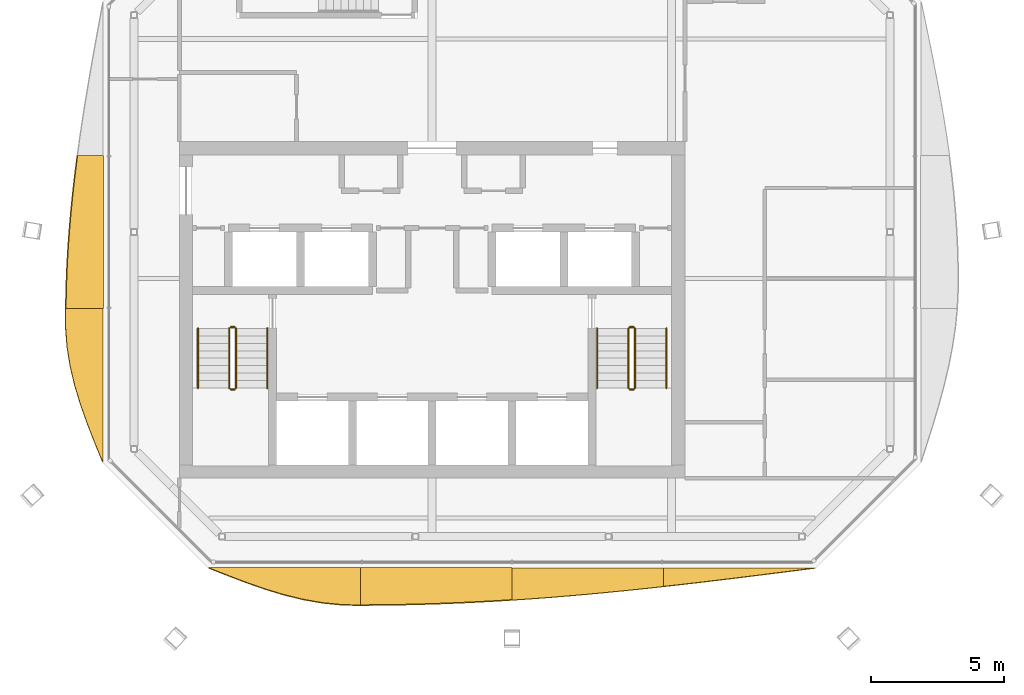
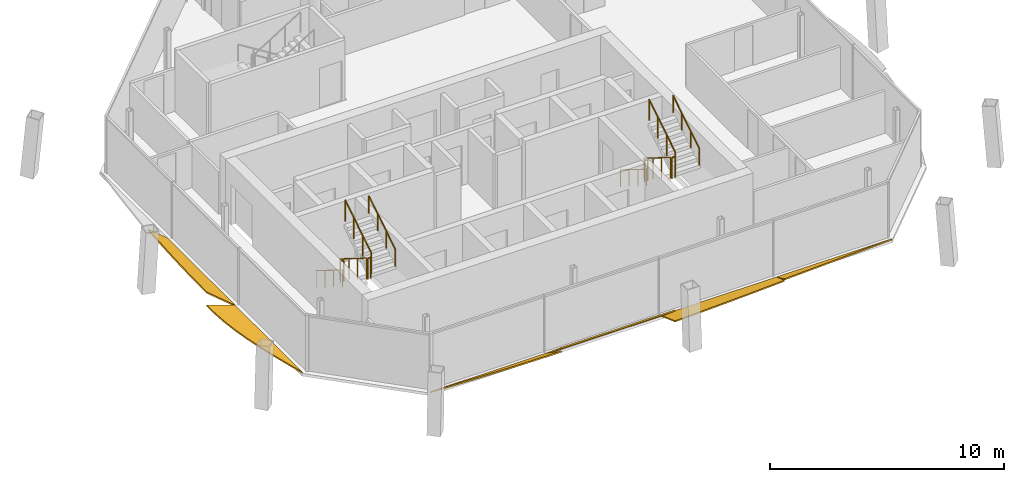
# One storey, part 11 of 13: 12 railings, 6 shading devices.
"""IFC4 building model written with IfcOpenShell, lengths in metres."""

from ifc_helpers import new_model, si_unit, direction, frame, origin, origin_2d, place, context, subcontext, project, spatial, polyline, circle, outline, extrude, material, layer, layer_set, type_object, element, save


model = new_model("IFC4")

# Units and contexts
model_context = context("Model", 3, precision=1e-05, world=origin(), true_north=direction((0.0, 1.0)))
body_context = subcontext(model_context, "Body", "Model", "MODEL_VIEW")
ifc_project = project(units=[si_unit("LENGTHUNIT", "METRE"), si_unit("AREAUNIT", "SQUARE_METRE"), si_unit("VOLUMEUNIT", "CUBIC_METRE"), si_unit("PLANEANGLEUNIT", "RADIAN"), si_unit("MASSUNIT", "GRAM", prefix="KILO")], contexts=[model_context])

# Site, building, storey
site_placement = place(None, origin())
site = spatial("IfcSite", under=ifc_project, at=site_placement, CompositionType="ELEMENT")
building_placement = place(site_placement, origin())
building = spatial("IfcBuilding", under=site, at=building_placement, Name="Tskaro Facet Tower", CompositionType="ELEMENT")
storey_placement = place(building_placement, frame((0.0, 0.0, 291.0)))
storey = spatial("IfcBuildingStorey", under=building, at=storey_placement, Name="L78", CompositionType="ELEMENT", Elevation=291.0)

# Shading devices
ifc_material_1 = material(Name="Bronze anodised aluminium 6063-T6", Category="aluminium")
ifc_layer = layer(ifc_material_1, 0.06005859375, Name="Bronze anodised aluminium 6063-T6")
ifc_layer_set = layer_set([ifc_layer], Name="Bronze anodised aluminium 6063-T6")
shading_device_type = type_object("IfcShadingDeviceType", Name="Bronze sun blade (FN1)", PredefinedType="USERDEFINED", material=ifc_layer_set)
shading_device_1_placement = place(storey_placement, frame((-8.39990234375, -15.365478515625, 0.049072265625), z_axis=(1.628134e-06, 0.573584256511, 0.819146568497), x_axis=(0.999999999999, -9.33872e-07, -1.33368e-06)))
element("IfcShadingDevice", 1, at=shading_device_1_placement, inside=storey, type_object=shading_device_type, Name="Fin blade south 1", ObjectType="FIN", PredefinedType="USERDEFINED", context=body_context, shape_type="SweptSolid", body=[
    extrude(outline(polyline([(0.0, 0.0), (5.699951171867445, 0.0), (5.69995117189076, -1.7089666048978414), (5.517578124918392, -1.7093066270719162), (4.987304687577205, -1.6898658549156895), (4.2749023438072085, -1.6034424884761702), (3.5624999997933307, -1.4512565812307807), (2.8498535156936127, -1.2395283040392888), (2.137451171881014, -0.9772780886366086), (1.4248046873684734, -0.6745263015336527), (0.7124023438976494, -0.344473412280655), (0.0, 0.0)])), origin(), (0.0, 0.0, -1.0), 0.06005859375),
])
shading_device_2_placement = place(storey_placement, frame((-2.699951171875, -15.361328125, 0.0458984375), z_axis=(-5.783435e-06, 0.642759513626, 0.766068017613), x_axis=(0.999999999983, 3.717358e-06, 4.430505e-06)))
element("IfcShadingDevice", 2, at=shading_device_2_placement, inside=storey, type_object=shading_device_type, Name="Fin blade south 2", ObjectType="FIN", PredefinedType="USERDEFINED", context=body_context, shape_type="SweptSolid", body=[
    extrude(outline(polyline([(0.0, 0.0), (5.699951171779674, 2.414023220159442e-21), (5.699951172160144, -1.5728058625376353), (4.9875488280449805, -1.6294785370174463), (4.274902343067656, -1.6797429419454153), (3.5625000001191722, -1.7228810686383111), (2.8498535157862053, -1.7585790696773658), (2.1374511714928546, -1.787180897096579), (1.4250488284292409, -1.8083124942467195), (0.7124023438070359, -1.8216600137090189), (-4.210272720451381e-11, -1.8273803791928613), (0.0, 0.0)])), origin(), (0.0, 0.0, -1.0), 0.06005859375),
])
shading_device_3_placement = place(storey_placement, frame((3.0, -15.37939453125, 0.056396484375), z_axis=(4.551221e-06, 0.34196844134, 0.939711437148), x_axis=(0.99999999999, -1.556374e-06, -4.276835e-06)))
element("IfcShadingDevice", 3, at=shading_device_3_placement, inside=storey, type_object=shading_device_type, Name="Fin blade south 3", ObjectType="FIN", PredefinedType="USERDEFINED", context=body_context, shape_type="SweptSolid", body=[
    extrude(outline(polyline([(0.0, 0.0), (5.699951171815966, -1.207011610079721e-21), (5.69995117129234, -0.7378847289739279), (4.987548827924372, -0.8202125845241016), (4.274902343832514, -0.8989110938030531), (3.5624999998867883, -0.973750835073195), (2.8500976565063443, -1.0446483199455276), (2.1374511716420623, -1.1114576150714632), (1.4250488285364622, -1.1732399900712407), (0.7124023438512506, -1.2301624217228588), (-4.994026864236279e-10, -1.2819119998997313), (0.0, 0.0)])), origin(), (0.0, 0.0, -1.0), 0.06005859375),
])
shading_device_4_placement = place(storey_placement, frame((8.699951171875, -15.374755859375, 0.054443359375), z_axis=(-3.489745e-06, 0.42268251359, 0.906277823127), x_axis=(0.999999999994, 1.475054e-06, 3.162678e-06)))
element("IfcShadingDevice", 4, at=shading_device_4_placement, inside=storey, type_object=shading_device_type, Name="Fin blade south 4", ObjectType="FIN", PredefinedType="USERDEFINED", context=body_context, shape_type="SweptSolid", body=[
    extrude(outline(polyline([(0.0, 0.0), (5.699951171840293, 0.0), (4.987548828069795, -0.09993973321140988), (4.275146484247402, -0.19933375398144793), (3.562499999748112, -0.2981820623101141), (2.8500976564902687, -0.39549642728771006), (2.1374511720916147, -0.4913949141753538), (1.425048828110372, -0.5851105512975102), (0.7126464842816612, -0.676422079420016), (-7.141218876178207e-11, -0.7647837861014992), (0.0, 0.0)])), origin(), (0.0, 0.0, -1.0), 0.06005859375),
])
shading_device_5_placement = place(storey_placement, frame((-12.361328125, 0.13330078125, 0.0458984375), z_axis=(0.642765809887, 1.2395985e-05, 0.766062734694), x_axis=(7.967715e-06, -0.999999999923, 9.496102e-06)))
element("IfcShadingDevice", 5, at=shading_device_5_placement, inside=storey, type_object=shading_device_type, Name="Fin blade west 2", ObjectType="FIN", PredefinedType="USERDEFINED", context=body_context, shape_type="SweptSolid", body=[
    extrude(outline(polyline([(0.0, 0.0), (5.766601562056951, 0.0), (5.7666015630590275, -1.824598659031675), (5.045898435765561, -1.8065927332447855), (4.324951171627607, -1.7722705412898125), (3.604248048377784, -1.722350089517878), (2.883300780502503, -1.656861479717267), (2.1623535159550387, -1.5766194399090971), (1.441650389524644, -1.4821850511979235), (0.7207031253444072, -1.3745600686397161), (-7.982966788814687e-10, -1.2546495256204482), (0.0, 0.0)])), origin(), (0.0, 0.0, -1.0), 0.06005859375),
])
shading_device_6_placement = place(storey_placement, frame((-12.37939453125, -5.63330078125, 0.056396484375), z_axis=(0.341970855347, -1.8811788e-05, 0.939710558491), x_axis=(-6.433083e-06, -0.999999999823, -1.7677636e-05)))
element("IfcShadingDevice", 6, at=shading_device_6_placement, inside=storey, type_object=shading_device_type, Name="Fin blade west 3", ObjectType="FIN", PredefinedType="USERDEFINED", context=body_context, shape_type="SweptSolid", body=[
    extrude(outline(polyline([(0.0, 0.0), (5.766601561479648, 0.0), (5.04589843804051, -0.31433519344593136), (4.324951169595433, -0.6144659125317824), (3.604248046356741, -0.8867089695100594), (2.8833007795654155, -1.1192586396421533), (2.1625976567015557, -1.3016022383497412), (1.441650392160328, -1.4252504766081235), (0.720947264420334, -1.4848010795834004), (0.4382324219210938, -1.4899739328941903), (-2.6346470442301415e-09, -1.4874292507279807), (0.0, 0.0)])), origin(), (0.0, 0.0, -1.0), 0.06005859375),
])

# Railings
ifc_material_2 = material(Name="Stainless steel", Category="steel")
railing_type_1 = type_object("IfcRailingType", Name="RL-GUARD-1100", PredefinedType="GUARDRAIL", material=ifc_material_2)
railing_1_placement = place(storey_placement, frame((-7.625, -6.375, 0.175048828125)))
element("IfcRailing", 7, at=railing_1_placement, inside=storey, type_object=railing_type_1, Name="L78 ST-1 stair guard 1", PredefinedType="GUARDRAIL", context=body_context, shape_type="SweptSolid", body=[
    extrude(circle(Radius=0.02392578125, at=origin_2d()), frame((0.0, 0.0, 1.076171875), z_axis=(0.0, -0.848013881152, 0.529974015752), x_axis=(1.0, 0.0, 0.0)), (0.0, 0.0, 1.0), 2.641357421875),
    extrude(circle(Radius=0.02099609375, at=origin_2d()), origin(), (0.0, 0.0, 1.0), 1.052001953125),
    extrude(circle(Radius=0.02099609375, at=origin_2d()), frame((0.0, -0.74658203125, 0.466552734375)), (0.0, 0.0, 1.0), 1.052001953125),
    extrude(circle(Radius=0.02099609375, at=origin_2d()), frame((0.0, -1.493408203125, 0.933349609375)), (0.0, 0.0, 1.0), 1.052001953125),
    extrude(circle(Radius=0.02099609375, at=origin_2d()), frame((0.0, -2.239990234375, 1.39990234375)), (0.0, 0.0, 1.0), 1.052001953125),
])
railing_2_placement = place(storey_placement, frame((-7.574951171875, -8.6650390625, 1.574951171875)))
element("IfcRailing", 8, at=railing_2_placement, inside=storey, type_object=railing_type_1, Name="L78 ST-1 stair guard 2", PredefinedType="GUARDRAIL", context=body_context, shape_type="SweptSolid", body=[
    extrude(circle(Radius=0.02392578125, at=origin_2d()), frame((0.0, 0.0, 1.076171875), z_axis=(1.0, 0.0, 0.0), x_axis=(0.0, 1.0, 0.0)), (0.0, 0.0, 1.0), 0.14990234375),
    extrude(circle(Radius=0.02099609375, at=origin_2d()), origin(), (0.0, 0.0, 1.0), 1.052001953125),
    extrude(circle(Radius=0.02099609375, at=origin_2d()), frame((0.14990234375, 0.0, 0.0)), (0.0, 0.0, 1.0), 1.052001953125),
])
railing_3_placement = place(storey_placement, frame((-7.375, -8.614990234375, 1.75)))
element("IfcRailing", 9, at=railing_3_placement, inside=storey, type_object=railing_type_1, Name="L78 ST-1 stair guard 3", PredefinedType="GUARDRAIL", context=body_context, shape_type="SweptSolid", body=[
    extrude(circle(Radius=0.02392578125, at=origin_2d()), frame((0.0, 0.0, 1.076171875), z_axis=(0.0, 0.848013881152, 0.529974015752), x_axis=(-1.0, 0.0, 0.0)), (0.0, 0.0, 1.0), 2.641357421875),
    extrude(circle(Radius=0.02099609375, at=origin_2d()), origin(), (0.0, 0.0, 1.0), 1.052001953125),
    extrude(circle(Radius=0.02099609375, at=origin_2d()), frame((0.0, 0.74658203125, 0.466552734375)), (0.0, 0.0, 1.0), 1.052001953125),
    extrude(circle(Radius=0.02099609375, at=origin_2d()), frame((0.0, 1.493408203125, 0.933349609375)), (0.0, 0.0, 1.0), 1.052001953125),
    extrude(circle(Radius=0.02099609375, at=origin_2d()), frame((0.0, 2.239990234375, 1.39990234375)), (0.0, 0.0, 1.0), 1.052001953125),
])
railing_4_placement = place(storey_placement, frame((-7.574951171875, -6.324951171875, 0.0)))
element("IfcRailing", 10, at=railing_4_placement, inside=storey, type_object=railing_type_1, Name="L78 ST-1 stair guard 4", PredefinedType="GUARDRAIL", context=body_context, shape_type="SweptSolid", body=[
    extrude(circle(Radius=0.02392578125, at=origin_2d()), frame((0.0, 0.0, 1.076171875), z_axis=(1.0, 0.0, 0.0), x_axis=(0.0, 1.0, 0.0)), (0.0, 0.0, 1.0), 0.14990234375),
    extrude(circle(Radius=0.02099609375, at=origin_2d()), origin(), (0.0, 0.0, 1.0), 1.052001953125),
    extrude(circle(Radius=0.02099609375, at=origin_2d()), frame((0.14990234375, 0.0, 0.0)), (0.0, 0.0, 1.0), 1.052001953125),
])
railing_5_placement = place(storey_placement, frame((7.375, -6.375, 0.175048828125)))
element("IfcRailing", 11, at=railing_5_placement, inside=storey, type_object=railing_type_1, Name="L78 ST-2 stair guard 1", PredefinedType="GUARDRAIL", context=body_context, shape_type="SweptSolid", body=[
    extrude(circle(Radius=0.02392578125, at=origin_2d()), frame((0.0, 0.0, 1.076171875), z_axis=(0.0, -0.848013881152, 0.529974015752), x_axis=(1.0, 0.0, 0.0)), (0.0, 0.0, 1.0), 2.641357421875),
    extrude(circle(Radius=0.02099609375, at=origin_2d()), origin(), (0.0, 0.0, 1.0), 1.052001953125),
    extrude(circle(Radius=0.02099609375, at=origin_2d()), frame((0.0, -0.74658203125, 0.466552734375)), (0.0, 0.0, 1.0), 1.052001953125),
    extrude(circle(Radius=0.02099609375, at=origin_2d()), frame((0.0, -1.493408203125, 0.933349609375)), (0.0, 0.0, 1.0), 1.052001953125),
    extrude(circle(Radius=0.02099609375, at=origin_2d()), frame((0.0, -2.239990234375, 1.39990234375)), (0.0, 0.0, 1.0), 1.052001953125),
])
railing_6_placement = place(storey_placement, frame((7.425048828125, -8.6650390625, 1.574951171875)))
element("IfcRailing", 12, at=railing_6_placement, inside=storey, type_object=railing_type_1, Name="L78 ST-2 stair guard 2", PredefinedType="GUARDRAIL", context=body_context, shape_type="SweptSolid", body=[
    extrude(circle(Radius=0.02392578125, at=origin_2d()), frame((0.0, 0.0, 1.076171875), z_axis=(1.0, 0.0, 0.0), x_axis=(0.0, 1.0, 0.0)), (0.0, 0.0, 1.0), 0.14990234375),
    extrude(circle(Radius=0.02099609375, at=origin_2d()), origin(), (0.0, 0.0, 1.0), 1.052001953125),
    extrude(circle(Radius=0.02099609375, at=origin_2d()), frame((0.14990234375, 0.0, 0.0)), (0.0, 0.0, 1.0), 1.052001953125),
])
railing_7_placement = place(storey_placement, frame((7.625, -8.614990234375, 1.75)))
element("IfcRailing", 13, at=railing_7_placement, inside=storey, type_object=railing_type_1, Name="L78 ST-2 stair guard 3", PredefinedType="GUARDRAIL", context=body_context, shape_type="SweptSolid", body=[
    extrude(circle(Radius=0.02392578125, at=origin_2d()), frame((0.0, 0.0, 1.076171875), z_axis=(0.0, 0.848013881152, 0.529974015752), x_axis=(-1.0, 0.0, 0.0)), (0.0, 0.0, 1.0), 2.641357421875),
    extrude(circle(Radius=0.02099609375, at=origin_2d()), origin(), (0.0, 0.0, 1.0), 1.052001953125),
    extrude(circle(Radius=0.02099609375, at=origin_2d()), frame((0.0, 0.74658203125, 0.466552734375)), (0.0, 0.0, 1.0), 1.052001953125),
    extrude(circle(Radius=0.02099609375, at=origin_2d()), frame((0.0, 1.493408203125, 0.933349609375)), (0.0, 0.0, 1.0), 1.052001953125),
    extrude(circle(Radius=0.02099609375, at=origin_2d()), frame((0.0, 2.239990234375, 1.39990234375)), (0.0, 0.0, 1.0), 1.052001953125),
])
railing_8_placement = place(storey_placement, frame((7.425048828125, -6.324951171875, 0.0)))
element("IfcRailing", 14, at=railing_8_placement, inside=storey, type_object=railing_type_1, Name="L78 ST-2 stair guard 4", PredefinedType="GUARDRAIL", context=body_context, shape_type="SweptSolid", body=[
    extrude(circle(Radius=0.02392578125, at=origin_2d()), frame((0.0, 0.0, 1.076171875), z_axis=(1.0, 0.0, 0.0), x_axis=(0.0, 1.0, 0.0)), (0.0, 0.0, 1.0), 0.14990234375),
    extrude(circle(Radius=0.02099609375, at=origin_2d()), origin(), (0.0, 0.0, 1.0), 1.052001953125),
    extrude(circle(Radius=0.02099609375, at=origin_2d()), frame((0.14990234375, 0.0, 0.0)), (0.0, 0.0, 1.0), 1.052001953125),
])
railing_type_2 = type_object("IfcRailingType", Name="RL-HANDRAIL-900", PredefinedType="HANDRAIL", material=ifc_material_2)
railing_9_placement = place(storey_placement, frame((-8.800048828125, -6.375, 0.175048828125)))
element("IfcRailing", 15, at=railing_9_placement, inside=storey, type_object=railing_type_2, Name="L78 ST-1 stair handrail 1", PredefinedType="HANDRAIL", context=body_context, shape_type="SweptSolid", body=[
    extrude(circle(Radius=0.02392578125, at=origin_2d()), frame((0.0, 0.0, 0.8759765625), z_axis=(0.0, -0.848013881152, 0.529974015752), x_axis=(1.0, 0.0, 0.0)), (0.0, 0.0, 1.0), 2.641357421875),
    extrude(circle(Radius=0.02099609375, at=origin_2d()), origin(), (0.0, 0.0, 1.0), 0.851806640625),
    extrude(circle(Radius=0.02099609375, at=origin_2d()), frame((0.0, -0.74658203125, 0.466552734375)), (0.0, 0.0, 1.0), 0.851806640625),
    extrude(circle(Radius=0.02099609375, at=origin_2d()), frame((0.0, -1.493408203125, 0.933349609375)), (0.0, 0.0, 1.0), 0.851806640625),
    extrude(circle(Radius=0.02099609375, at=origin_2d()), frame((0.0, -2.239990234375, 1.39990234375)), (0.0, 0.0, 1.0), 0.851806640625),
])
railing_10_placement = place(storey_placement, frame((-6.199951171875, -8.614990234375, 1.75)))
element("IfcRailing", 16, at=railing_10_placement, inside=storey, type_object=railing_type_2, Name="L78 ST-1 stair handrail 2", PredefinedType="HANDRAIL", context=body_context, shape_type="SweptSolid", body=[
    extrude(circle(Radius=0.02392578125, at=origin_2d()), frame((0.0, 0.0, 0.8759765625), z_axis=(0.0, 0.848013881152, 0.529974015752), x_axis=(-1.0, 0.0, 0.0)), (0.0, 0.0, 1.0), 2.641357421875),
    extrude(circle(Radius=0.02099609375, at=origin_2d()), origin(), (0.0, 0.0, 1.0), 0.851806640625),
    extrude(circle(Radius=0.02099609375, at=origin_2d()), frame((0.0, 0.74658203125, 0.466552734375)), (0.0, 0.0, 1.0), 0.851806640625),
    extrude(circle(Radius=0.02099609375, at=origin_2d()), frame((0.0, 1.493408203125, 0.933349609375)), (0.0, 0.0, 1.0), 0.851806640625),
    extrude(circle(Radius=0.02099609375, at=origin_2d()), frame((0.0, 2.239990234375, 1.39990234375)), (0.0, 0.0, 1.0), 0.851806640625),
])
railing_11_placement = place(storey_placement, frame((6.199951171875, -6.375, 0.175048828125)))
element("IfcRailing", 17, at=railing_11_placement, inside=storey, type_object=railing_type_2, Name="L78 ST-2 stair handrail 1", PredefinedType="HANDRAIL", context=body_context, shape_type="SweptSolid", body=[
    extrude(circle(Radius=0.02392578125, at=origin_2d()), frame((0.0, 0.0, 0.8759765625), z_axis=(0.0, -0.848013881152, 0.529974015752), x_axis=(1.0, 0.0, 0.0)), (0.0, 0.0, 1.0), 2.641357421875),
    extrude(circle(Radius=0.02099609375, at=origin_2d()), origin(), (0.0, 0.0, 1.0), 0.851806640625),
    extrude(circle(Radius=0.02099609375, at=origin_2d()), frame((0.0, -0.74658203125, 0.466552734375)), (0.0, 0.0, 1.0), 0.851806640625),
    extrude(circle(Radius=0.02099609375, at=origin_2d()), frame((0.0, -1.493408203125, 0.933349609375)), (0.0, 0.0, 1.0), 0.851806640625),
    extrude(circle(Radius=0.02099609375, at=origin_2d()), frame((0.0, -2.239990234375, 1.39990234375)), (0.0, 0.0, 1.0), 0.851806640625),
])
railing_12_placement = place(storey_placement, frame((8.800048828125, -8.614990234375, 1.75)))
element("IfcRailing", 18, at=railing_12_placement, inside=storey, type_object=railing_type_2, Name="L78 ST-2 stair handrail 2", PredefinedType="HANDRAIL", context=body_context, shape_type="SweptSolid", body=[
    extrude(circle(Radius=0.02392578125, at=origin_2d()), frame((0.0, 0.0, 0.8759765625), z_axis=(0.0, 0.848013881152, 0.529974015752), x_axis=(-1.0, 0.0, 0.0)), (0.0, 0.0, 1.0), 2.641357421875),
    extrude(circle(Radius=0.02099609375, at=origin_2d()), origin(), (0.0, 0.0, 1.0), 0.851806640625),
    extrude(circle(Radius=0.02099609375, at=origin_2d()), frame((0.0, 0.74658203125, 0.466552734375)), (0.0, 0.0, 1.0), 0.851806640625),
    extrude(circle(Radius=0.02099609375, at=origin_2d()), frame((0.0, 1.493408203125, 0.933349609375)), (0.0, 0.0, 1.0), 0.851806640625),
    extrude(circle(Radius=0.02099609375, at=origin_2d()), frame((0.0, 2.239990234375, 1.39990234375)), (0.0, 0.0, 1.0), 0.851806640625),
])

save(model, "model.ifc")
